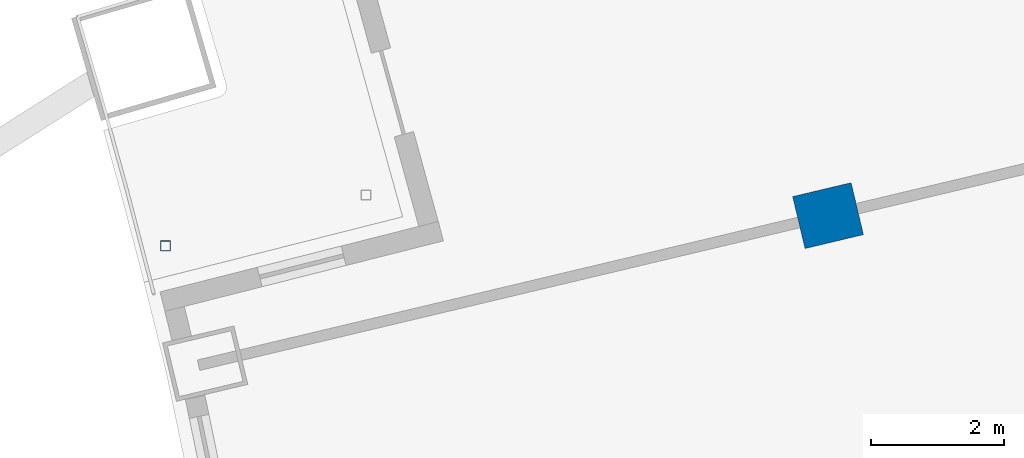
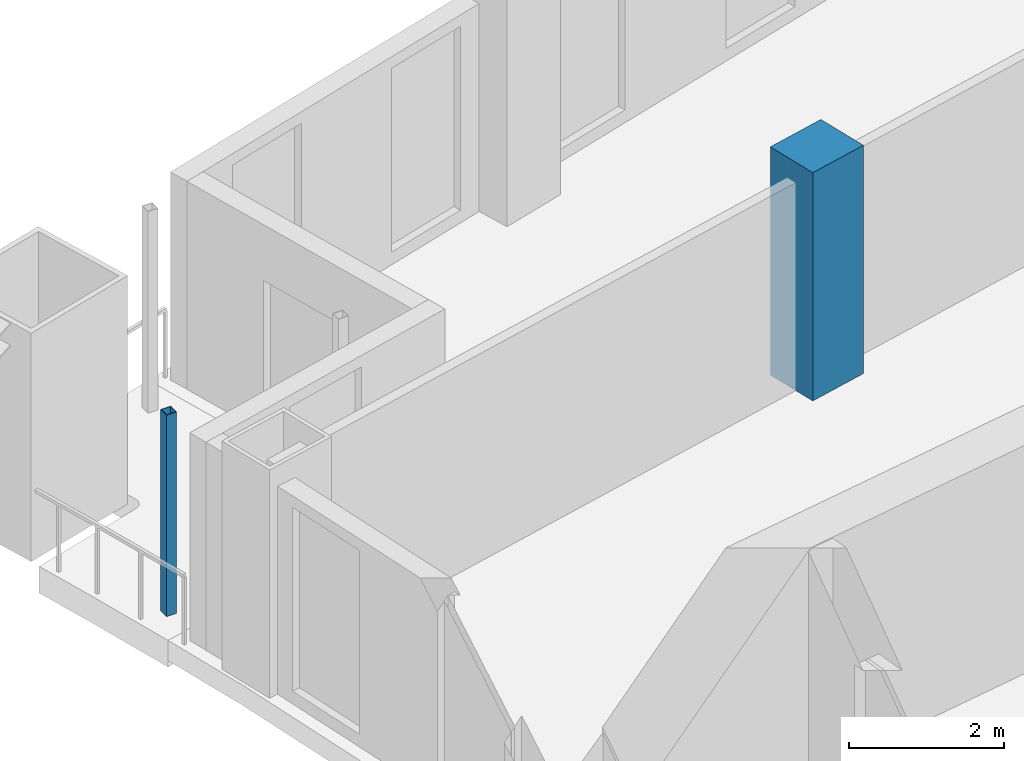
# One storey, part 5 of 20: 2 columns.
"""IFC4 building model written with IfcOpenShell, lengths in metres."""

from ifc_helpers import new_model, si_unit, direction, frame, origin, origin_2d, place, context, subcontext, project, spatial, rectangle, hollow_rectangle, extrude, material, material_profile, profile_set, type_object, element, save


model = new_model("IFC4")

# Units and contexts
model_context = context("Model", 3, precision=1e-05, world=origin(), true_north=direction((0.0, 1.0)))
body_context = subcontext(model_context, "Body", "Model", "MODEL_VIEW")
ifc_project = project(units=[si_unit("LENGTHUNIT", "METRE"), si_unit("AREAUNIT", "SQUARE_METRE"), si_unit("VOLUMEUNIT", "CUBIC_METRE"), si_unit("PLANEANGLEUNIT", "RADIAN"), si_unit("MASSUNIT", "GRAM", prefix="KILO")], contexts=[model_context])

# Site, building, storey
site_placement = place(None, origin())
site = spatial("IfcSite", under=ifc_project, at=site_placement, CompositionType="ELEMENT")
building_placement = place(site_placement, origin())
building = spatial("IfcBuilding", under=site, at=building_placement, Name="Alderwake Tower", CompositionType="ELEMENT")
storey_placement = place(building_placement, frame((0.0, 0.0, 153.199951171875)))
storey = spatial("IfcBuildingStorey", under=building, at=storey_placement, Name="L37", CompositionType="ELEMENT", Elevation=153.199951171875)

# Columns
ifc_material_1 = material(Name="Concrete C70/85", Category="concrete")
ifc_material_profile_1 = material_profile(ifc_material_1, rectangle(XDim=0.800048828125, YDim=0.89990234375, at=origin_2d()), Name="RC 900X800")
ifc_profile_set_1 = profile_set([ifc_material_profile_1], Name="Concrete C70/85")
column_type_1 = type_object("IfcColumnType", Name="Interior column Z3", PredefinedType="COLUMN", material=ifc_profile_set_1)
column_1_placement = place(storey_placement, frame((23.322021484375, 85.555908203125, 0.0), z_axis=(0.0, 0.0, 1.0), x_axis=(-0.231221547198, 0.972901123502, 0.0)))
element("IfcColumn", 1, at=column_1_placement, inside=storey, type_object=column_type_1, Name="Column R11-C1", PredefinedType="COLUMN", context=body_context, shape_type="SweptSolid", body=[
    extrude(rectangle(XDim=0.800048828125, YDim=0.89990234375, at=origin_2d()), origin(), (0.0, 0.0, 1.0), 3.60009765625),
])
ifc_material_2 = material(Name="Steel ASTM A500 Grade C", Category="steel")
ifc_material_profile_2 = material_profile(ifc_material_2, hollow_rectangle(XDim=0.15234375, YDim=0.15234375, WallThickness=0.0087890625, at=origin_2d()), Name="HSS6X6X3/8")
ifc_profile_set_2 = profile_set([ifc_material_profile_2], Name="Steel ASTM A500 Grade C")
column_type_2 = type_object("IfcColumnType", Name="Light post HSS6X6X3/8", PredefinedType="COLUMN", material=ifc_profile_set_2)
column_2_placement = place(storey_placement, frame((13.3896484375, 85.103515625, 0.0), z_axis=(0.0, 0.0, 1.0), x_axis=(1.0, 0.0, 0.0)))
element("IfcColumn", 2, at=column_2_placement, inside=storey, type_object=column_type_2, Name="Terrace post RN1", PredefinedType="COLUMN", context=body_context, shape_type="SweptSolid", body=[
    extrude(hollow_rectangle(XDim=0.15234375, YDim=0.15234375, WallThickness=0.0087890625, at=origin_2d()), origin(), (0.0, 0.0, 1.0), 3.179931640625),
])

save(model, "model.ifc")
